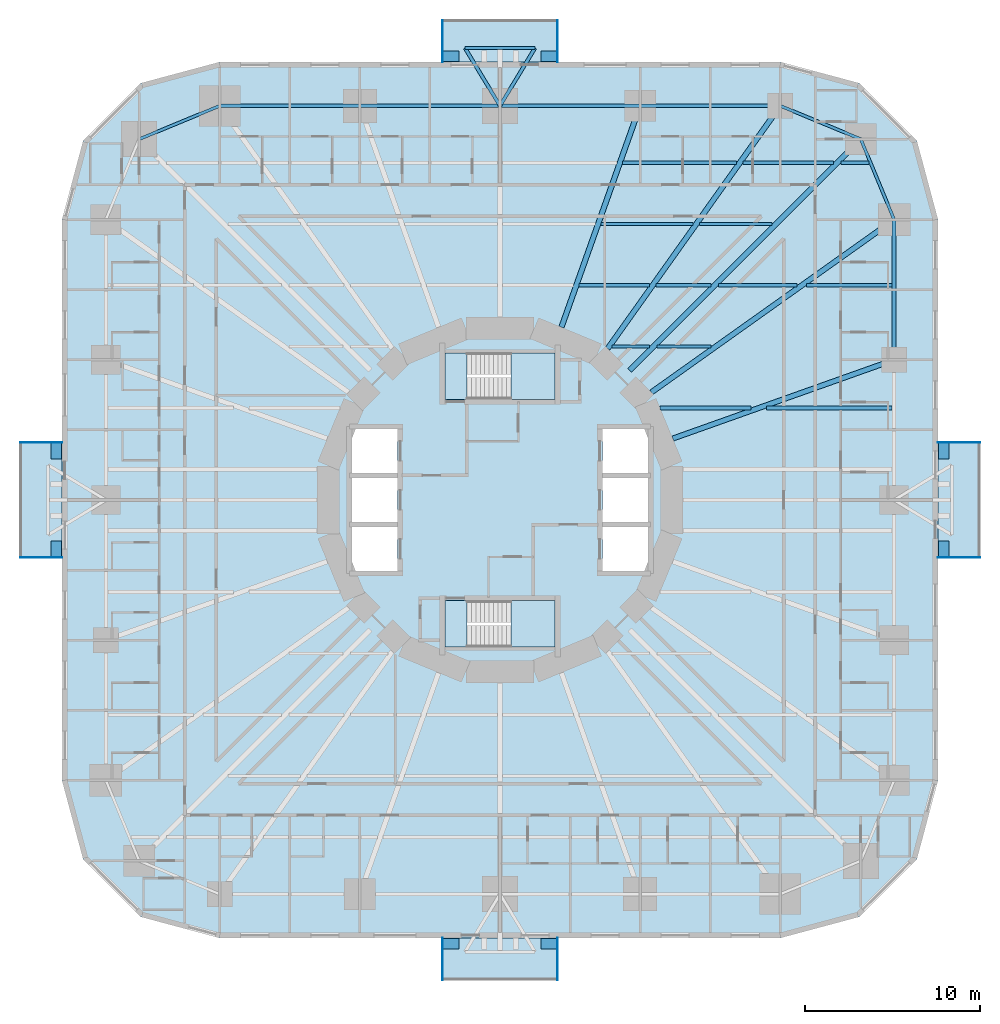
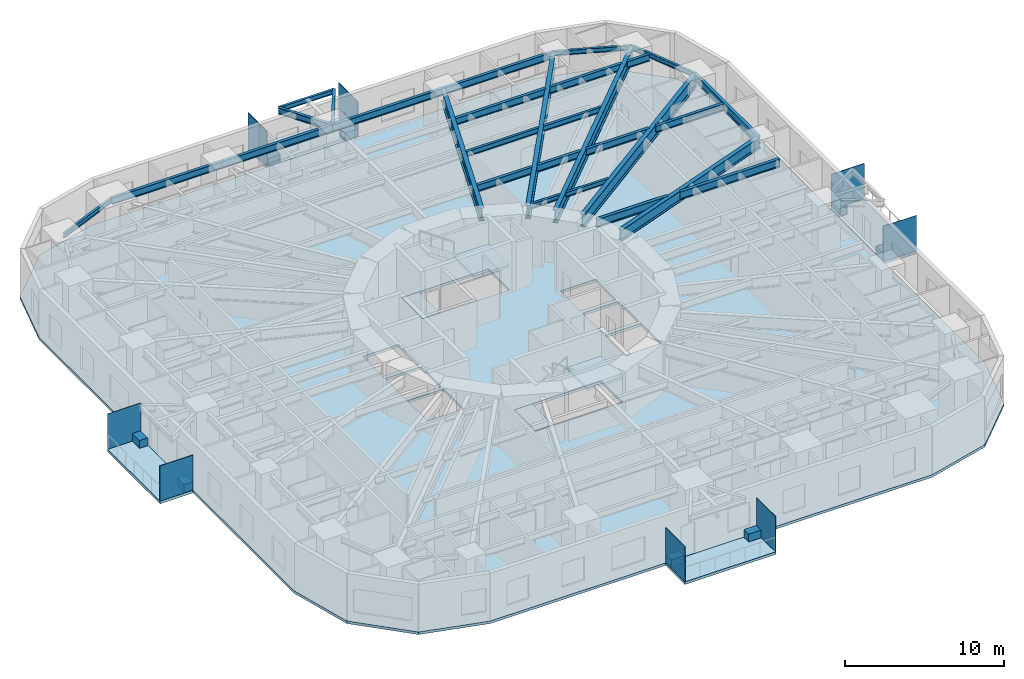
# One storey, part 3 of 14: 29 beams, 16 plates, 9 slabs, 2 elements without a shape of their own.
"""IFC4 building model written with IfcOpenShell, lengths in metres."""

from ifc_helpers import new_model, si_unit, direction, frame, origin, origin_2d, place, context, subcontext, project, spatial, polyline, rectangle, i_section, outline, extrude, material, layer, layer_set, material_profile, profile_set, type_object, element, aggregate, save


model = new_model("IFC4")

# Units and contexts
model_context = context("Model", 3, precision=1e-05, world=origin(), true_north=direction((0.0, 1.0)))
body_context = subcontext(model_context, "Body", "Model", "MODEL_VIEW")
ifc_project = project(units=[si_unit("LENGTHUNIT", "METRE"), si_unit("AREAUNIT", "SQUARE_METRE"), si_unit("VOLUMEUNIT", "CUBIC_METRE"), si_unit("PLANEANGLEUNIT", "RADIAN"), si_unit("MASSUNIT", "GRAM", prefix="KILO")], contexts=[model_context])

# Site, building, storey
site_placement = place(None, origin())
site = spatial("IfcSite", under=ifc_project, at=site_placement, CompositionType="ELEMENT")
building_placement = place(site_placement, origin())
building = spatial("IfcBuilding", under=site, at=building_placement, Name="Nakasero Lantern House", CompositionType="ELEMENT")
storey_placement = place(building_placement, frame((0.0, 0.0, 27.550048828125)))
storey = spatial("IfcBuildingStorey", under=building, at=storey_placement, Name="L06", CompositionType="ELEMENT", Elevation=27.550048828125)

# Beams
ifc_material_1 = material(Name="Steel S355", Category="steel")
ifc_material_profile_1 = material_profile(ifc_material_1, i_section(OverallWidth=0.199462890625, OverallDepth=0.491943359375, WebThickness=0.01806640625, FlangeThickness=0.031982421875, FilletRadius=0.01025390625, at=origin_2d()), Name="UB 457x191x161")
ifc_profile_set_1 = profile_set([ifc_material_profile_1], Name="Steel S355")
beam_type_1 = type_object("IfcBeamType", Name="Balcony splay beam UB 457x191x161", PredefinedType="BEAM", material=ifc_profile_set_1)
for number, where, z_axis, x_axis, name in (
    (1, (0.0, 22.5, 3.404052734375), (-0.518296107317, 0.855201230787, 0.0), (-0.855201230787, -0.518296107317, 0.0), "Balcony splay beam L07 B1-C09A"),
    (2, (0.0, 22.5, 3.404052734375), (0.518296107317, 0.855201230787, 0.0), (-0.855201230787, 0.518296107317, 0.0), "Balcony splay beam L07 B1-C09B"),
):
    element("IfcBeam", number, at=place(storey_placement, frame(where, z_axis=z_axis, x_axis=x_axis)), inside=storey, type_object=beam_type_1, Name=name, PredefinedType="BEAM", context=body_context, shape_type="SweptSolid", body=[
        extrude(i_section(OverallWidth=0.199462890625, OverallDepth=0.491943359375, WebThickness=0.01806640625, FlangeThickness=0.031982421875, FilletRadius=0.01025390625, at=origin_2d()), origin(), (0.0, 0.0, 1.0), 3.85888671875),
    ])
ifc_material_2 = material(Name="Steel S355", Category="steel")
ifc_material_profile_2 = material_profile(ifc_material_2, i_section(OverallWidth=0.17138671875, OverallDepth=0.35498046875, WebThickness=0.00732421875, FlangeThickness=0.011474609375, FilletRadius=0.01025390625, at=origin_2d()), Name="UB 356x171x51")
ifc_profile_set_2 = profile_set([ifc_material_profile_2], Name="Steel S355")
beam_type_2 = type_object("IfcBeamType", Name="Balcony tie beam UB 356x171x51", PredefinedType="BEAM", material=ifc_profile_set_2)
beam_1_placement = place(storey_placement, frame((-2.0, 25.800048828125, 3.472412109375), z_axis=(1.0, 0.0, 0.0), x_axis=(0.0, 1.0, 0.0)))
element("IfcBeam", 3, at=beam_1_placement, inside=storey, type_object=beam_type_2, Name="Balcony tie beam L07 B1-C09", PredefinedType="BEAM", context=body_context, shape_type="SweptSolid", body=[
    extrude(i_section(OverallWidth=0.17138671875, OverallDepth=0.35498046875, WebThickness=0.00732421875, FlangeThickness=0.011474609375, FilletRadius=0.01025390625, at=origin_2d()), origin(), (0.0, 0.0, 1.0), 4.0),
])
ifc_material_3 = material(Name="Steel S355", Category="steel")
ifc_material_profile_3 = material_profile(ifc_material_3, i_section(OverallWidth=0.17138671875, OverallDepth=0.35498046875, WebThickness=0.00732421875, FlangeThickness=0.011474609375, FilletRadius=0.01025390625, at=origin_2d()), Name="UB 356x171x51")
ifc_profile_set_3 = profile_set([ifc_material_profile_3], Name="Steel S355")
beam_type_3 = type_object("IfcBeamType", Name="Infill beam UB 356x171x51", PredefinedType="JOIST", material=ifc_profile_set_3)
beam_2_placement = place(storey_placement, frame((6.40625, 8.75, 3.472412109375), z_axis=(1.0, 0.0, 0.0), x_axis=(0.0, 1.0, 0.0)))
element("IfcBeam", 4, at=beam_2_placement, inside=storey, type_object=beam_type_3, Name="Infill beam L07 10.3", PredefinedType="JOIST", context=body_context, shape_type="SweptSolid", body=[
    extrude(i_section(OverallWidth=0.17138671875, OverallDepth=0.35498046875, WebThickness=0.00732421875, FlangeThickness=0.011474609375, FilletRadius=0.01025390625, at=origin_2d()), origin(), (0.0, 0.0, 1.0), 2.131591796875),
])
beam_3_placement = place(storey_placement, frame((8.962158203125, 8.75, 3.472412109375), z_axis=(1.0, 0.0, 0.0), x_axis=(0.0, 1.0, 0.0)))
element("IfcBeam", 5, at=beam_3_placement, inside=storey, type_object=beam_type_3, Name="Infill beam L07 10.4", PredefinedType="JOIST", context=body_context, shape_type="SweptSolid", body=[
    extrude(i_section(OverallWidth=0.17138671875, OverallDepth=0.35498046875, WebThickness=0.00732421875, FlangeThickness=0.011474609375, FilletRadius=0.01025390625, at=origin_2d()), origin(), (0.0, 0.0, 1.0), 3.083740234375),
])
ifc_material_4 = material(Name="Steel S355", Category="steel")
ifc_material_profile_4 = material_profile(ifc_material_4, i_section(OverallWidth=0.177978515625, OverallDepth=0.406494140625, WebThickness=0.0078125, FlangeThickness=0.0126953125, FilletRadius=0.01025390625, at=origin_2d()), Name="UB 406x178x60")
ifc_profile_set_4 = profile_set([ifc_material_profile_4], Name="Steel S355")
beam_type_4 = type_object("IfcBeamType", Name="Infill beam UB 406x178x60", PredefinedType="JOIST", material=ifc_profile_set_4)
beam_4_placement = place(storey_placement, frame((5.75927734375, 15.75, 3.44677734375), z_axis=(1.0, 0.0, 0.0), x_axis=(0.0, 1.0, 0.0)))
element("IfcBeam", 6, at=beam_4_placement, inside=storey, type_object=beam_type_4, Name="Infill beam L07 12.5", PredefinedType="JOIST", context=body_context, shape_type="SweptSolid", body=[
    extrude(i_section(OverallWidth=0.177978515625, OverallDepth=0.406494140625, WebThickness=0.0078125, FlangeThickness=0.0126953125, FilletRadius=0.01025390625, at=origin_2d()), origin(), (0.0, 0.0, 1.0), 5.256591796875),
])
beam_5_placement = place(storey_placement, frame((11.384033203125, 15.75, 3.44677734375), z_axis=(1.0, 0.0, 0.0), x_axis=(0.0, 1.0, 0.0)))
element("IfcBeam", 7, at=beam_5_placement, inside=storey, type_object=beam_type_4, Name="Infill beam L07 12.6", PredefinedType="JOIST", context=body_context, shape_type="SweptSolid", body=[
    extrude(i_section(OverallWidth=0.177978515625, OverallDepth=0.406494140625, WebThickness=0.0078125, FlangeThickness=0.0126953125, FilletRadius=0.01025390625, at=origin_2d()), origin(), (0.0, 0.0, 1.0), 4.15380859375),
])
ifc_material_5 = material(Name="Steel S355", Category="steel")
ifc_material_profile_5 = material_profile(ifc_material_5, i_section(OverallWidth=0.208740234375, OverallDepth=0.5283203125, WebThickness=0.009521484375, FlangeThickness=0.01318359375, FilletRadius=0.0126953125, at=origin_2d()), Name="UB 533x210x82")
ifc_profile_set_5 = profile_set([ifc_material_profile_5], Name="Steel S355")
beam_type_5 = type_object("IfcBeamType", Name="Infill beam UB 533x210x82", PredefinedType="JOIST", material=ifc_profile_set_5)
beam_6_placement = place(storey_placement, frame((4.5146484375, 12.25, 3.3857421875), z_axis=(1.0, 0.0, 0.0), x_axis=(0.0, 1.0, 0.0)))
element("IfcBeam", 8, at=beam_6_placement, inside=storey, type_object=beam_type_5, Name="Infill beam L07 11.7", PredefinedType="JOIST", context=body_context, shape_type="SweptSolid", body=[
    extrude(i_section(OverallWidth=0.208740234375, OverallDepth=0.5283203125, WebThickness=0.009521484375, FlangeThickness=0.01318359375, FilletRadius=0.0126953125, at=origin_2d()), origin(), (0.0, 0.0, 1.0), 4.012451171875),
])
beam_7_placement = place(storey_placement, frame((8.895263671875, 12.25, 3.3857421875), z_axis=(1.0, 0.0, 0.0), x_axis=(0.0, 1.0, 0.0)))
element("IfcBeam", 9, at=beam_7_placement, inside=storey, type_object=beam_type_5, Name="Infill beam L07 11.8", PredefinedType="JOIST", context=body_context, shape_type="SweptSolid", body=[
    extrude(i_section(OverallWidth=0.208740234375, OverallDepth=0.5283203125, WebThickness=0.009521484375, FlangeThickness=0.01318359375, FilletRadius=0.0126953125, at=origin_2d()), origin(), (0.0, 0.0, 1.0), 3.142578125),
])
beam_8_placement = place(storey_placement, frame((12.462158203125, 12.25, 3.3857421875), z_axis=(1.0, 0.0, 0.0), x_axis=(0.0, 1.0, 0.0)))
element("IfcBeam", 10, at=beam_8_placement, inside=storey, type_object=beam_type_5, Name="Infill beam L07 11.9", PredefinedType="JOIST", context=body_context, shape_type="SweptSolid", body=[
    extrude(i_section(OverallWidth=0.208740234375, OverallDepth=0.5283203125, WebThickness=0.009521484375, FlangeThickness=0.01318359375, FilletRadius=0.0126953125, at=origin_2d()), origin(), (0.0, 0.0, 1.0), 4.505615234375),
])
beam_9_placement = place(storey_placement, frame((17.4853515625, 12.25, 3.3857421875), z_axis=(1.0, 0.0, 0.0), x_axis=(0.0, 1.0, 0.0)))
element("IfcBeam", 11, at=beam_9_placement, inside=storey, type_object=beam_type_5, Name="Infill beam L07 11.10", PredefinedType="JOIST", context=body_context, shape_type="SweptSolid", body=[
    extrude(i_section(OverallWidth=0.208740234375, OverallDepth=0.5283203125, WebThickness=0.009521484375, FlangeThickness=0.01318359375, FilletRadius=0.0126953125, at=origin_2d()), origin(), (0.0, 0.0, 1.0), 4.900146484375),
])
beam_10_placement = place(storey_placement, frame((7.003662109375, 19.25, 3.3857421875), z_axis=(1.0, 0.0, 0.0), x_axis=(0.0, 1.0, 0.0)))
element("IfcBeam", 12, at=beam_10_placement, inside=storey, type_object=beam_type_5, Name="Infill beam L07 13.6", PredefinedType="JOIST", context=body_context, shape_type="SweptSolid", body=[
    extrude(i_section(OverallWidth=0.208740234375, OverallDepth=0.5283203125, WebThickness=0.009521484375, FlangeThickness=0.01318359375, FilletRadius=0.0126953125, at=origin_2d()), origin(), (0.0, 0.0, 1.0), 6.501220703125),
])
beam_11_placement = place(storey_placement, frame((13.873046875, 19.25, 3.3857421875), z_axis=(1.0, 0.0, 0.0), x_axis=(0.0, 1.0, 0.0)))
element("IfcBeam", 13, at=beam_11_placement, inside=storey, type_object=beam_type_5, Name="Infill beam L07 13.7", PredefinedType="JOIST", context=body_context, shape_type="SweptSolid", body=[
    extrude(i_section(OverallWidth=0.208740234375, OverallDepth=0.5283203125, WebThickness=0.009521484375, FlangeThickness=0.01318359375, FilletRadius=0.0126953125, at=origin_2d()), origin(), (0.0, 0.0, 1.0), 5.164794921875),
])
beam_12_placement = place(storey_placement, frame((19.462158203125, 19.25, 3.3857421875), z_axis=(1.0, 0.0, 0.0), x_axis=(0.0, 1.0, 0.0)))
element("IfcBeam", 14, at=beam_12_placement, inside=storey, type_object=beam_type_5, Name="Infill beam L07 13.8", PredefinedType="JOIST", context=body_context, shape_type="SweptSolid", body=[
    extrude(i_section(OverallWidth=0.208740234375, OverallDepth=0.5283203125, WebThickness=0.009521484375, FlangeThickness=0.01318359375, FilletRadius=0.0126953125, at=origin_2d()), origin(), (0.0, 0.0, 1.0), 1.598876953125),
])
ifc_material_6 = material(Name="Steel S355", Category="steel")
ifc_material_profile_6 = material_profile(ifc_material_6, i_section(OverallWidth=0.2275390625, OverallDepth=0.6025390625, WebThickness=0.010498046875, FlangeThickness=0.014892578125, FilletRadius=0.0126953125, at=origin_2d()), Name="UB 610x229x101")
ifc_profile_set_6 = profile_set([ifc_material_profile_6], Name="Steel S355")
beam_type_6 = type_object("IfcBeamType", Name="Infill beam UB 610x229x101", PredefinedType="JOIST", material=ifc_profile_set_6)
beam_13_placement = place(storey_placement, frame((9.144775390625, 5.25, 3.3486328125), z_axis=(1.0, 0.0, 0.0), x_axis=(0.0, 1.0, 0.0)))
element("IfcBeam", 15, at=beam_13_placement, inside=storey, type_object=beam_type_6, Name="Infill beam L07 09.3", PredefinedType="JOIST", context=body_context, shape_type="SweptSolid", body=[
    extrude(i_section(OverallWidth=0.2275390625, OverallDepth=0.6025390625, WebThickness=0.010498046875, FlangeThickness=0.014892578125, FilletRadius=0.0126953125, at=origin_2d()), origin(), (0.0, 0.0, 1.0), 5.184326171875),
])
beam_14_placement = place(storey_placement, frame((15.2021484375, 5.25, 3.3486328125), z_axis=(1.0, 0.0, 0.0), x_axis=(0.0, 1.0, 0.0)))
element("IfcBeam", 16, at=beam_14_placement, inside=storey, type_object=beam_type_6, Name="Infill beam L07 09.4", PredefinedType="JOIST", context=body_context, shape_type="SweptSolid", body=[
    extrude(i_section(OverallWidth=0.2275390625, OverallDepth=0.6025390625, WebThickness=0.010498046875, FlangeThickness=0.014892578125, FilletRadius=0.0126953125, at=origin_2d()), origin(), (0.0, 0.0, 1.0), 7.183349609375),
])
ifc_material_7 = material(Name="Steel S355", Category="steel")
ifc_material_profile_7 = material_profile(ifc_material_7, i_section(OverallWidth=0.300048828125, OverallDepth=0.97021484375, WebThickness=0.01611328125, FlangeThickness=0.02099609375, FilletRadius=0.030029296875, at=origin_2d()), Name="UB 1016x305x222")
ifc_profile_set_7 = profile_set([ifc_material_profile_7], Name="Steel S355")
beam_type_7 = type_object("IfcBeamType", Name="Primary beam UB 1016x305x222, span 12 to 15 m", PredefinedType="BEAM", material=ifc_profile_set_7)
beam_15_placement = place(storey_placement, frame((8.0, 22.5, 3.164794921875), z_axis=(-0.335010745293, -0.942214307118, 0.0), x_axis=(0.942214307118, -0.335010745293, 0.0)))
element("IfcBeam", 17, at=beam_15_placement, inside=storey, type_object=beam_type_7, Name="Primary beam L07 B1-C08", PredefinedType="BEAM", context=body_context, shape_type="SweptSolid", body=[
    extrude(i_section(OverallWidth=0.300048828125, OverallDepth=0.97021484375, WebThickness=0.01611328125, FlangeThickness=0.02099609375, FilletRadius=0.030029296875, at=origin_2d()), origin(), (0.0, 0.0, 1.0), 13.408447265625),
])
ifc_material_8 = material(Name="Steel S355", Category="steel")
ifc_material_profile_8 = material_profile(ifc_material_8, i_section(OverallWidth=0.300048828125, OverallDepth=0.989990234375, WebThickness=0.0166015625, FlangeThickness=0.031005859375, FilletRadius=0.030029296875, at=origin_2d()), Name="UB 1016x305x272")
ifc_profile_set_8 = profile_set([ifc_material_profile_8], Name="Steel S355")
beam_type_8 = type_object("IfcBeamType", Name="Primary beam UB 1016x305x272, span over 15 m", PredefinedType="BEAM", material=ifc_profile_set_8)
beam_16_placement = place(storey_placement, frame((22.5, 16.0, 3.15478515625), z_axis=(-0.814952159915, -0.579528236629, 0.0), x_axis=(0.579528236629, -0.814952159915, 0.0)))
element("IfcBeam", 18, at=beam_16_placement, inside=storey, type_object=beam_type_8, Name="Primary beam L07 B1-C05", PredefinedType="BEAM", context=body_context, shape_type="SweptSolid", body=[
    extrude(i_section(OverallWidth=0.300048828125, OverallDepth=0.989990234375, WebThickness=0.0166015625, FlangeThickness=0.031005859375, FilletRadius=0.030029296875, at=origin_2d()), origin(), (0.0, 0.0, 1.0), 17.003173828125),
])
beam_17_placement = place(storey_placement, frame((20.59619140625, 20.59619140625, 3.15478515625), z_axis=(-0.707106781187, -0.707106781187, 0.0), x_axis=(0.707106781187, -0.707106781187, 0.0)))
element("IfcBeam", 19, at=beam_17_placement, inside=storey, type_object=beam_type_8, Name="Primary beam L07 B1-C06", PredefinedType="BEAM", context=body_context, shape_type="SweptSolid", body=[
    extrude(i_section(OverallWidth=0.300048828125, OverallDepth=0.989990234375, WebThickness=0.0166015625, FlangeThickness=0.031005859375, FilletRadius=0.030029296875, at=origin_2d()), origin(), (0.0, 0.0, 1.0), 18.669677734375),
])
ifc_material_9 = material(Name="Steel S355", Category="steel")
ifc_material_profile_9 = material_profile(ifc_material_9, i_section(OverallWidth=0.300048828125, OverallDepth=1.0, WebThickness=0.01904296875, FlangeThickness=0.035888671875, FilletRadius=0.030029296875, at=origin_2d()), Name="UB 1016x305x314")
ifc_profile_set_9 = profile_set([ifc_material_profile_9], Name="Steel S355")
beam_type_9 = type_object("IfcBeamType", Name="Primary beam UB 1016x305x314, span over 15 m", PredefinedType="BEAM", material=ifc_profile_set_9)
beam_18_placement = place(storey_placement, frame((16.0, 22.5, 3.14990234375), z_axis=(-0.579528236629, -0.814952159915, 0.0), x_axis=(0.814952159915, -0.579528236629, 0.0)))
element("IfcBeam", 20, at=beam_18_placement, inside=storey, type_object=beam_type_9, Name="Primary beam L07 B1-C07", PredefinedType="BEAM", context=body_context, shape_type="SweptSolid", body=[
    extrude(i_section(OverallWidth=0.300048828125, OverallDepth=1.0, WebThickness=0.01904296875, FlangeThickness=0.035888671875, FilletRadius=0.030029296875, at=origin_2d()), origin(), (0.0, 0.0, 1.0), 17.003173828125),
])
ifc_material_10 = material(Name="Steel S355", Category="steel")
ifc_material_profile_10 = material_profile(ifc_material_10, i_section(OverallWidth=0.29248046875, OverallDepth=0.8408203125, WebThickness=0.0146484375, FlangeThickness=0.02685546875, FilletRadius=0.017822265625, at=origin_2d()), Name="UB 838x292x194")
ifc_profile_set_10 = profile_set([ifc_material_profile_10], Name="Steel S355")
beam_type_10 = type_object("IfcBeamType", Name="Primary beam UB 838x292x194, span 12 to 15 m", PredefinedType="BEAM", material=ifc_profile_set_10)
beam_19_placement = place(storey_placement, frame((22.5, 8.0, 3.2294921875), z_axis=(-0.942214307118, -0.335010745293, 0.0), x_axis=(0.335010745293, -0.942214307118, 0.0)))
element("IfcBeam", 21, at=beam_19_placement, inside=storey, type_object=beam_type_10, Name="Primary beam L07 B1-C04", PredefinedType="BEAM", context=body_context, shape_type="SweptSolid", body=[
    extrude(i_section(OverallWidth=0.29248046875, OverallDepth=0.8408203125, WebThickness=0.0146484375, FlangeThickness=0.02685546875, FilletRadius=0.017822265625, at=origin_2d()), origin(), (0.0, 0.0, 1.0), 13.408447265625),
])
ifc_material_11 = material(Name="Steel S355", Category="steel")
ifc_material_profile_11 = material_profile(ifc_material_11, i_section(OverallWidth=0.17138671875, OverallDepth=0.35498046875, WebThickness=0.00732421875, FlangeThickness=0.011474609375, FilletRadius=0.01025390625, at=origin_2d()), Name="UB 356x171x51")
ifc_profile_set_11 = profile_set([ifc_material_profile_11], Name="Steel S355")
beam_type_11 = type_object("IfcBeamType", Name="Ring beam UB 356x171x51", PredefinedType="BEAM", material=ifc_profile_set_11)
for number, where, z_axis, x_axis, name in (
    (22, (22.5, 16.0, 3.472412109375), (-0.382684080569, 0.923879264016, 0.0), (-0.923879264016, -0.382684080569, 0.0), "Ring beam L07 B1-C05"),
    (23, (20.59619140625, 20.59619140625, 3.472412109375), (-0.923879264016, 0.382684080569, 0.0), (-0.382684080569, -0.923879264016, 0.0), "Ring beam L07 B1-C06"),
    (24, (-16.0, 22.5, 3.472412109375), (-0.923879264016, -0.382684080569, 0.0), (0.382684080569, -0.923879264016, 0.0), "Ring beam L07 B1-C11"),
):
    element("IfcBeam", number, at=place(storey_placement, frame(where, z_axis=z_axis, x_axis=x_axis)), inside=storey, type_object=beam_type_11, Name=name, PredefinedType="BEAM", context=body_context, shape_type="SweptSolid", body=[
        extrude(i_section(OverallWidth=0.17138671875, OverallDepth=0.35498046875, WebThickness=0.00732421875, FlangeThickness=0.011474609375, FilletRadius=0.01025390625, at=origin_2d()), origin(), (0.0, 0.0, 1.0), 4.974853515625),
    ])
ifc_material_12 = material(Name="Steel S355", Category="steel")
ifc_material_profile_12 = material_profile(ifc_material_12, i_section(OverallWidth=0.2099609375, OverallDepth=0.53662109375, WebThickness=0.0107421875, FlangeThickness=0.017333984375, FilletRadius=0.0126953125, at=origin_2d()), Name="UB 533x210x101")
ifc_profile_set_12 = profile_set([ifc_material_profile_12], Name="Steel S355")
beam_type_12 = type_object("IfcBeamType", Name="Ring beam UB 533x210x101", PredefinedType="BEAM", material=ifc_profile_set_12)
for number, where, z_axis, x_axis, name in (
    (25, (16.0, 22.5, 3.381591796875), (-1.0, 0.0, 0.0), (0.0, -1.0, 0.0), "Ring beam L07 B1-C07"),
    (26, (8.0, 22.5, 3.381591796875), (-1.0, 0.0, 0.0), (0.0, -1.0, 0.0), "Ring beam L07 B1-C08"),
    (27, (0.0, 22.5, 3.381591796875), (-1.0, 0.0, 0.0), (0.0, -1.0, 0.0), "Ring beam L07 B1-C09"),
    (28, (-8.0, 22.5, 3.381591796875), (-1.0, 0.0, 0.0), (0.0, -1.0, 0.0), "Ring beam L07 B1-C10"),
):
    element("IfcBeam", number, at=place(storey_placement, frame(where, z_axis=z_axis, x_axis=x_axis)), inside=storey, type_object=beam_type_12, Name=name, PredefinedType="BEAM", context=body_context, shape_type="SweptSolid", body=[
        extrude(i_section(OverallWidth=0.2099609375, OverallDepth=0.53662109375, WebThickness=0.0107421875, FlangeThickness=0.017333984375, FilletRadius=0.0126953125, at=origin_2d()), origin(), (0.0, 0.0, 1.0), 8.0),
    ])
ifc_material_13 = material(Name="Steel S355", Category="steel")
ifc_material_profile_13 = material_profile(ifc_material_13, i_section(OverallWidth=0.22900390625, OverallDepth=0.6123046875, WebThickness=0.011962890625, FlangeThickness=0.01953125, FilletRadius=0.0126953125, at=origin_2d()), Name="UB 610x229x125")
ifc_profile_set_13 = profile_set([ifc_material_profile_13], Name="Steel S355")
beam_type_13 = type_object("IfcBeamType", Name="Ring beam UB 610x229x125", PredefinedType="BEAM", material=ifc_profile_set_13)
beam_20_placement = place(storey_placement, frame((22.5, 8.0, 3.34375), z_axis=(0.0, 1.0, 0.0), x_axis=(-1.0, 0.0, 0.0)))
element("IfcBeam", 29, at=beam_20_placement, inside=storey, type_object=beam_type_13, Name="Ring beam L07 B1-C04", PredefinedType="BEAM", context=body_context, shape_type="SweptSolid", body=[
    extrude(i_section(OverallWidth=0.22900390625, OverallDepth=0.6123046875, WebThickness=0.011962890625, FlangeThickness=0.01953125, FilletRadius=0.0126953125, at=origin_2d()), origin(), (0.0, 0.0, 1.0), 8.0),
])

# Plates
ifc_material_14 = material(Name="Aluminium 6063-T6", Category="aluminium")
ifc_layer_1 = layer(ifc_material_14, 0.60009765625)
ifc_layer_set_1 = layer_set([ifc_layer_1], Name="Balcony planter 600x900")
plate_type_1 = type_object("IfcPlateType", Name="Balcony planter 600x900", PredefinedType="USERDEFINED", material=ifc_layer_set_1)
for number, where, z_axis, x_axis, name in (
    (30, (25.320068359375, -2.7900390625, 0.0), (0.0, 0.0, 1.0), (1.0, 0.0, 0.0), "Balcony PLANTER L06 BAL0A"),
    (31, (25.320068359375, 2.7900390625, 0.0), (0.0, 0.0, 1.0), (1.0, 0.0, 0.0), "Balcony PLANTER L06 BAL0B"),
    (32, (2.7900390625, 25.320068359375, 0.0), (0.0, 0.0, 1.0), (0.0, 1.0, 0.0), "Balcony PLANTER L06 BAL1A"),
    (33, (-2.7900390625, 25.320068359375, 0.0), (0.0, 0.0, 1.0), (0.0, 1.0, 0.0), "Balcony PLANTER L06 BAL1B"),
    (34, (-25.320068359375, 2.7900390625, 0.0), (0.0, 0.0, 1.0), (-1.0, 0.0, 0.0), "Balcony PLANTER L06 BAL2A"),
    (35, (-25.320068359375, -2.7900390625, 0.0), (0.0, 0.0, 1.0), (-1.0, 0.0, 0.0), "Balcony PLANTER L06 BAL2B"),
    (36, (-2.7900390625, -25.320068359375, 0.0), (0.0, 0.0, 1.0), (0.0, -1.0, 0.0), "Balcony PLANTER L06 BAL3A"),
    (37, (2.7900390625, -25.320068359375, 0.0), (0.0, 0.0, 1.0), (0.0, -1.0, 0.0), "Balcony PLANTER L06 BAL3B"),
):
    element("IfcPlate", number, at=place(storey_placement, frame(where, z_axis=z_axis, x_axis=x_axis)), inside=storey, type_object=plate_type_1, Name=name, ObjectType="PLANTER", PredefinedType="USERDEFINED", context=body_context, shape_type="SweptSolid", body=[
        extrude(rectangle(XDim=0.60009765625, YDim=0.89990234375, at=origin_2d()), origin(), (0.0, 0.0, 1.0), 0.60009765625),
    ])
ifc_material_15 = material(Name="Aluminium 6063-T6", Category="aluminium")
ifc_layer_2 = layer(ifc_material_15, 0.0400390625)
ifc_layer_set_2 = layer_set([ifc_layer_2], Name="Balcony screen 2400x2700")
plate_type_2 = type_object("IfcPlateType", Name="Balcony screen 2400x2700", PredefinedType="SHEET", material=ifc_layer_set_2)
for number, where, z_axis, x_axis, name in (
    (38, (26.199951171875, -3.280029296875, 0.0), (0.0, 0.0, 1.0), (1.0, 0.0, 0.0), "Balcony SCREEN L06 BAL0A"),
    (39, (26.199951171875, 3.280029296875, 0.0), (0.0, 0.0, 1.0), (1.0, 0.0, 0.0), "Balcony SCREEN L06 BAL0B"),
    (40, (3.280029296875, 26.199951171875, 0.0), (0.0, 0.0, 1.0), (0.0, 1.0, 0.0), "Balcony SCREEN L06 BAL1A"),
    (41, (-3.280029296875, 26.199951171875, 0.0), (0.0, 0.0, 1.0), (0.0, 1.0, 0.0), "Balcony SCREEN L06 BAL1B"),
    (42, (-26.199951171875, 3.280029296875, 0.0), (0.0, 0.0, 1.0), (-1.0, 0.0, 0.0), "Balcony SCREEN L06 BAL2A"),
    (43, (-26.199951171875, -3.280029296875, 0.0), (0.0, 0.0, 1.0), (-1.0, 0.0, 0.0), "Balcony SCREEN L06 BAL2B"),
    (44, (-3.280029296875, -26.199951171875, 0.0), (0.0, 0.0, 1.0), (0.0, -1.0, 0.0), "Balcony SCREEN L06 BAL3A"),
    (45, (3.280029296875, -26.199951171875, 0.0), (0.0, 0.0, 1.0), (0.0, -1.0, 0.0), "Balcony SCREEN L06 BAL3B"),
):
    element("IfcPlate", number, at=place(storey_placement, frame(where, z_axis=z_axis, x_axis=x_axis)), inside=storey, type_object=plate_type_2, Name=name, PredefinedType="SHEET", context=body_context, shape_type="SweptSolid", body=[
        extrude(rectangle(XDim=2.39990234375, YDim=0.0400390625, at=origin_2d()), origin(), (0.0, 0.0, 1.0), 2.699951171875),
    ])

# Slabs
ifc_material_16 = material(Name="Concrete C35/45", Category="concrete")
ifc_layer_3 = layer(ifc_material_16, 0.199951171875)
ifc_layer_set_3 = layer_set([ifc_layer_3], Name="Balcony slab 200")
slab_type_1 = type_object("IfcSlabType", Name="Balcony slab 200", PredefinedType="USERDEFINED", material=ifc_layer_set_3)
slab_1_placement = place(storey_placement, frame((0.0, 0.0, -0.199951171875)))
element("IfcSlab", 46, at=slab_1_placement, inside=storey, type_object=slab_type_1, Name="Balcony L06 BAL0", ObjectType="BALCONY", PredefinedType="USERDEFINED", context=body_context, shape_type="SweptSolid", body=[
    extrude(outline(polyline([(25.0, -3.300048828125), (27.39990234375, -3.300048828125), (27.39990234375, 3.300048828125), (25.0, 3.300048828125), (25.0, -3.300048828125)])), origin(), (0.0, 0.0, 1.0), 0.199951171875),
])
slab_2_placement = place(storey_placement, frame((0.0, 0.0, -0.199951171875)))
element("IfcSlab", 47, at=slab_2_placement, inside=storey, type_object=slab_type_1, Name="Balcony L06 BAL1", ObjectType="BALCONY", PredefinedType="USERDEFINED", context=body_context, shape_type="SweptSolid", body=[
    extrude(outline(polyline([(3.300048828125, 25.0), (3.300048828125, 27.39990234375), (-3.300048828125, 27.39990234375), (-3.300048828125, 25.0), (3.300048828125, 25.0)])), origin(), (0.0, 0.0, 1.0), 0.199951171875),
])
slab_3_placement = place(storey_placement, frame((0.0, 0.0, -0.199951171875)))
element("IfcSlab", 48, at=slab_3_placement, inside=storey, type_object=slab_type_1, Name="Balcony L06 BAL2", ObjectType="BALCONY", PredefinedType="USERDEFINED", context=body_context, shape_type="SweptSolid", body=[
    extrude(outline(polyline([(-25.0, 3.300048828125), (-27.39990234375, 3.300048828125), (-27.39990234375, -3.300048828125), (-25.0, -3.300048828125), (-25.0, 3.300048828125)])), origin(), (0.0, 0.0, 1.0), 0.199951171875),
])
slab_4_placement = place(storey_placement, frame((0.0, 0.0, -0.199951171875)))
element("IfcSlab", 49, at=slab_4_placement, inside=storey, type_object=slab_type_1, Name="Balcony L06 BAL3", ObjectType="BALCONY", PredefinedType="USERDEFINED", context=body_context, shape_type="SweptSolid", body=[
    extrude(outline(polyline([(-3.300048828125, -25.0), (-3.300048828125, -27.39990234375), (3.300048828125, -27.39990234375), (3.300048828125, -25.0), (-3.300048828125, -25.0)])), origin(), (0.0, 0.0, 1.0), 0.199951171875),
])
ifc_material_17 = material(Name="Concrete C35/45", Category="concrete")
ifc_layer_4 = layer(ifc_material_17, 0.199951171875)
ifc_layer_set_4 = layer_set([ifc_layer_4], Name="Composite floor slab 200")
slab_type_2 = type_object("IfcSlabType", Name="Composite floor slab 200", PredefinedType="FLOOR", material=ifc_layer_set_4)
slab_5_placement = place(storey_placement, frame((0.0, 0.0, -0.199951171875)))
element("IfcSlab", 50, at=slab_5_placement, inside=storey, type_object=slab_type_2, Name="Floor slab L06", PredefinedType="FLOOR", context=body_context, shape_type="SweptSolid", body=[
    extrude(outline(polyline([(25.0, 16.0), (23.794189453125, 20.5), (20.5, 23.794189453125), (16.0, 25.0), (-16.0, 25.0), (-20.5, 23.794189453125), (-23.794189453125, 20.5), (-25.0, 16.0), (-25.0, -16.0), (-23.794189453125, -20.5), (-20.5, -23.794189453125), (-16.0, -25.0), (16.0, -25.0), (20.5, -23.794189453125), (23.794189453125, -20.5), (25.0, -16.0), (25.0, 16.0)]), holes=[polyline([(-8.449951171875, -4.050048828125), (-5.85009765625, -4.050048828125), (-5.85009765625, -1.550048828125), (-8.449951171875, -1.550048828125), (-8.449951171875, -4.050048828125)]), polyline([(-8.449951171875, -1.25), (-5.85009765625, -1.25), (-5.85009765625, 1.25), (-8.449951171875, 1.25), (-8.449951171875, -1.25)]), polyline([(-8.449951171875, 1.550048828125), (-5.85009765625, 1.550048828125), (-5.85009765625, 4.050048828125), (-8.449951171875, 4.050048828125), (-8.449951171875, 1.550048828125)]), polyline([(5.85009765625, -4.050048828125), (8.449951171875, -4.050048828125), (8.449951171875, -1.550048828125), (5.85009765625, -1.550048828125), (5.85009765625, -4.050048828125)]), polyline([(5.85009765625, -1.25), (8.449951171875, -1.25), (8.449951171875, 1.25), (5.85009765625, 1.25), (5.85009765625, -1.25)]), polyline([(5.85009765625, 1.550048828125), (8.449951171875, 1.550048828125), (8.449951171875, 4.050048828125), (5.85009765625, 4.050048828125), (5.85009765625, 1.550048828125)]), polyline([(-3.14990234375, 5.75), (3.14990234375, 5.75), (3.14990234375, 8.39990234375), (-3.14990234375, 8.39990234375), (-3.14990234375, 5.75)]), polyline([(-3.14990234375, -8.39990234375), (3.14990234375, -8.39990234375), (3.14990234375, -5.75), (-3.14990234375, -5.75), (-3.14990234375, -8.39990234375)])]), origin(), (0.0, 0.0, 1.0), 0.199951171875),
])

# Stair, slabs
ifc_material_18 = material(Name="Concrete C40/50", Category="concrete")
stair_type_1 = type_object("IfcStairType", Name="Escape stair ST1 22 risers", PredefinedType="HALF_TURN_STAIR", material=ifc_material_18)
stair_1_placement = place(storey_placement, origin())
stair_1 = element("IfcStair", 51, at=stair_1_placement, inside=storey, type_object=stair_type_1, Name="Escape stair ST1 L06", PredefinedType="HALF_TURN_STAIR")
ifc_material_19 = material(Name="Concrete C40/50", Category="concrete")
ifc_layer_5 = layer(ifc_material_19, 0.199951171875)
ifc_layer_set_5 = layer_set([ifc_layer_5], Name="Stair landing 200")
slab_type_3 = type_object("IfcSlabType", Name="Stair landing 200", PredefinedType="LANDING", material=ifc_layer_set_5)
slab_6_placement = place(storey_placement, frame((0.0, 0.0, -0.199951171875)))
slab_6 = element("IfcSlab", 52, at=slab_6_placement, type_object=slab_type_3, Name="ST1 landing 1", PredefinedType="LANDING", context=body_context, shape_type="SweptSolid", body=[
    extrude(outline(polyline([(-3.14990234375, 5.75), (-1.875, 5.75), (-1.875, 8.39990234375), (-3.14990234375, 8.39990234375), (-3.14990234375, 5.75)])), origin(), (0.0, 0.0, 1.0), 0.199951171875),
])
slab_7_placement = place(storey_placement, frame((0.0, 0.0, 1.724853515625)))
slab_7 = element("IfcSlab", 53, at=slab_7_placement, type_object=slab_type_3, Name="ST1 landing 2", PredefinedType="LANDING", context=body_context, shape_type="SweptSolid", body=[
    extrude(outline(polyline([(0.625, 5.75), (3.14990234375, 5.75), (3.14990234375, 8.39990234375), (0.625, 8.39990234375), (0.625, 5.75)])), origin(), (0.0, 0.0, 1.0), 0.2001953125),
])
aggregate(stair_1, [slab_6, slab_7])

ifc_material_20 = material(Name="Concrete C40/50", Category="concrete")
stair_type_2 = type_object("IfcStairType", Name="Escape stair ST2 22 risers", PredefinedType="HALF_TURN_STAIR", material=ifc_material_20)
stair_2_placement = place(storey_placement, origin())
stair_2 = element("IfcStair", 54, at=stair_2_placement, inside=storey, type_object=stair_type_2, Name="Escape stair ST2 L06", PredefinedType="HALF_TURN_STAIR")
slab_8_placement = place(storey_placement, frame((0.0, 0.0, -0.199951171875)))
slab_8 = element("IfcSlab", 55, at=slab_8_placement, type_object=slab_type_3, Name="ST2 landing 1", PredefinedType="LANDING", context=body_context, shape_type="SweptSolid", body=[
    extrude(outline(polyline([(-3.14990234375, -8.39990234375), (-1.875, -8.39990234375), (-1.875, -5.75), (-3.14990234375, -5.75), (-3.14990234375, -8.39990234375)])), origin(), (0.0, 0.0, 1.0), 0.199951171875),
])
slab_9_placement = place(storey_placement, frame((0.0, 0.0, 1.724853515625)))
slab_9 = element("IfcSlab", 56, at=slab_9_placement, type_object=slab_type_3, Name="ST2 landing 2", PredefinedType="LANDING", context=body_context, shape_type="SweptSolid", body=[
    extrude(outline(polyline([(0.625, -8.39990234375), (3.14990234375, -8.39990234375), (3.14990234375, -5.75), (0.625, -5.75), (0.625, -8.39990234375)])), origin(), (0.0, 0.0, 1.0), 0.2001953125),
])
aggregate(stair_2, [slab_8, slab_9])

save(model, "model.ifc")
